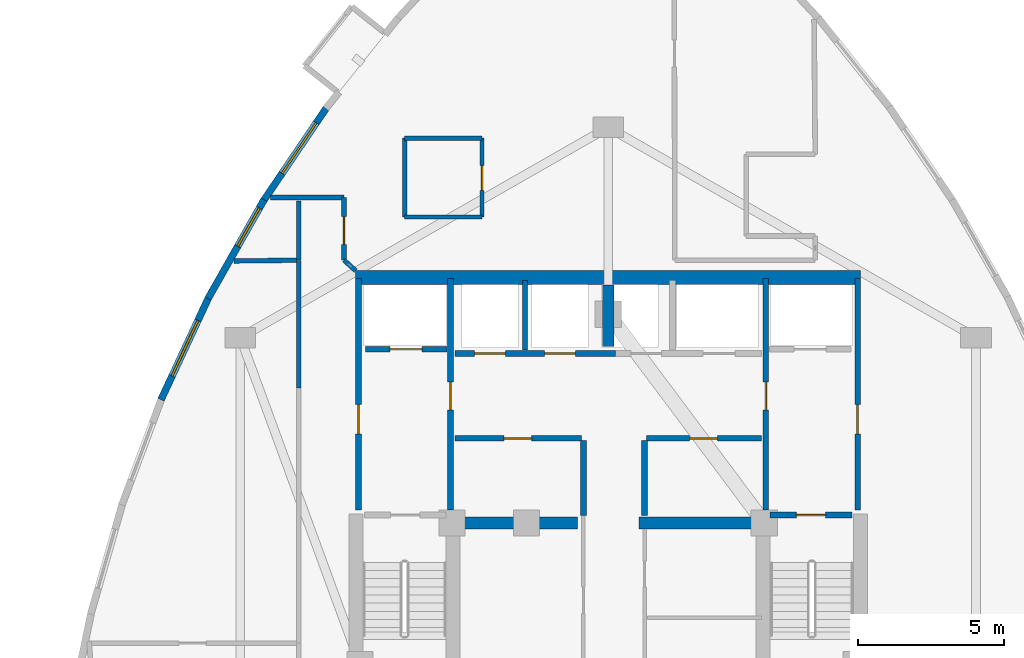
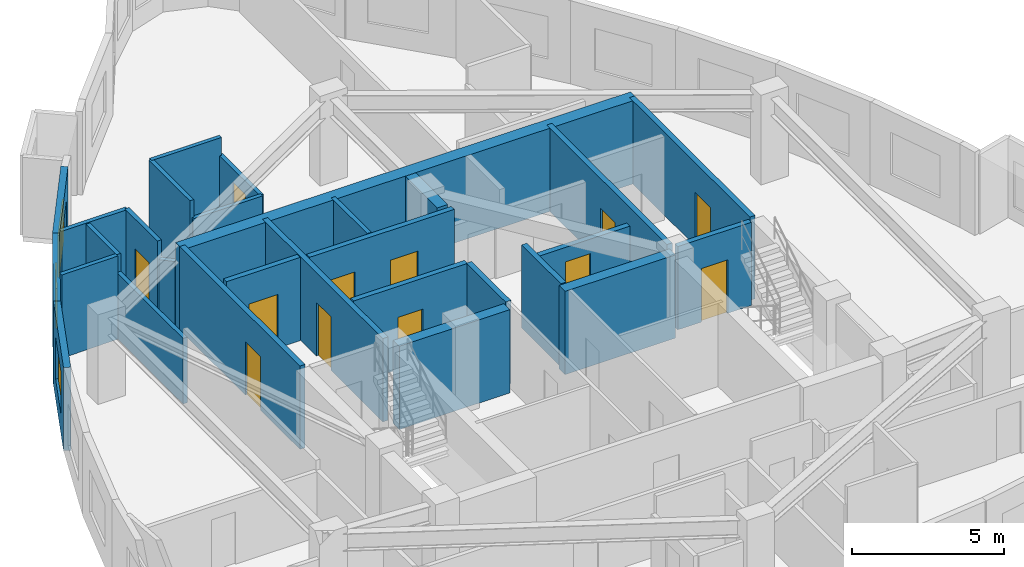
# One storey, part 9 of 12: 29 walls, 12 doors, 3 windows, 15 openings.
"""IFC4 building model written with IfcOpenShell, lengths in metres."""

from ifc_helpers import new_model, si_unit, direction, frame, frame_2d, origin, place, context, subcontext, project, spatial, rectangle, extrude, material, layer, layer_set, type_object, element, fill, save


model = new_model("IFC4")

# Units and contexts
model_context = context("Model", 3, precision=1e-05, world=origin(), true_north=direction((0.0, 1.0)))
body_context = subcontext(model_context, "Body", "Model", "MODEL_VIEW")
ifc_project = project(units=[si_unit("LENGTHUNIT", "METRE"), si_unit("AREAUNIT", "SQUARE_METRE"), si_unit("VOLUMEUNIT", "CUBIC_METRE"), si_unit("PLANEANGLEUNIT", "RADIAN"), si_unit("MASSUNIT", "GRAM", prefix="KILO")], contexts=[model_context])

# Site, building, storey
site_placement = place(None, origin())
site = spatial("IfcSite", under=ifc_project, at=site_placement, CompositionType="ELEMENT")
building_placement = place(site_placement, origin())
building = spatial("IfcBuilding", under=site, at=building_placement, Name="Miruveldt Soraemaru", CompositionType="ELEMENT")
storey_placement = place(building_placement, frame((0.0, 0.0, 219.60009765625)))
storey = spatial("IfcBuildingStorey", under=building, at=storey_placement, Name="L60", CompositionType="ELEMENT", Elevation=219.60009765625)

# Walls
ifc_material_1 = material(Name="Concrete C70/85 (70 MPa)", Category="concrete")
ifc_layer_1 = layer(ifc_material_1, 0.5, Name="Concrete C70/85 (70 MPa)", Category="concrete")
ifc_layer_set_1 = layer_set([ifc_layer_1], Name="Concrete C70/85 (70 MPa)")
wall_type_1 = type_object("IfcWallType", Name="WALL-BW-500", PredefinedType="SHEAR", material=ifc_layer_set_1)
wall_1_placement = place(storey_placement, frame((44.0, 50.10009765625, 0.0), z_axis=(0.0, 0.0, 1.0), x_axis=(0.0, 1.0, 0.0)))
element("IfcWall", 1, at=wall_1_placement, inside=storey, type_object=wall_type_1, Name="L60 Core Buttress Shear Wall BN", PredefinedType="SHEAR", context=body_context, shape_type="SweptSolid", body=[
    extrude(rectangle(XDim=2.099853515625, YDim=0.39990234375, at=frame_2d((1.0498046875, 0.0))), origin(), (0.0, 0.0, 1.0), 3.344970703125),
])
for number, where, z_axis, x_axis, name in (
    (2, (38.75, 44.050048828125, 0.0), (0.0, 0.0, 1.0), (1.0, 0.0, 0.0), "L60 Core Buttress Shear Wall BW"),
    (3, (45.050048828125, 44.050048828125, 0.0), (0.0, 0.0, 1.0), (1.0, 0.0, 0.0), "L60 Core Buttress Shear Wall BE"),
):
    element("IfcWall", number, at=place(storey_placement, frame(where, z_axis=z_axis, x_axis=x_axis)), inside=storey, type_object=wall_type_1, Name=name, PredefinedType="SHEAR", context=body_context, shape_type="SweptSolid", body=[
        extrude(rectangle(XDim=4.199951171875, YDim=0.39990234375, at=frame_2d((2.10009765625, 0.0))), origin(), (0.0, 0.0, 1.0), 3.344970703125),
    ])
ifc_material_2 = material(Name="Concrete C60/75 (60 MPa)", Category="concrete")
ifc_layer_2 = layer(ifc_material_2, 0.47998046875, Name="Concrete C60/75 (60 MPa)", Category="concrete")
ifc_layer_set_2 = layer_set([ifc_layer_2], Name="Concrete C60/75 (60 MPa)")
wall_type_2 = type_object("IfcWallType", Name="WALL-CW-480", PredefinedType="SHEAR", material=ifc_layer_set_2)
wall_2_placement = place(storey_placement, frame((35.35009765625, 52.449951171875, 0.0), z_axis=(0.0, 0.0, 1.0), x_axis=(1.0, 0.0, 0.0)))
element("IfcWall", 4, at=wall_2_placement, inside=storey, type_object=wall_type_2, Name="L60 Central Core Shear Wall N", PredefinedType="SHEAR", context=body_context, shape_type="SweptSolid", body=[
    extrude(rectangle(XDim=17.2998046875, YDim=0.47998046875, at=frame_2d((8.64990234375, 0.0))), origin(), (0.0, 0.0, 1.0), 3.344970703125),
])

# Wall, opening, window
ifc_material_3 = material(Name="Precast concrete C45/55 (45 MPa)", Category="concrete")
ifc_layer_3 = layer(ifc_material_3, 0.239990234375, Name="Precast concrete C45/55 (45 MPa)", Category="concrete")
ifc_layer_set_3 = layer_set([ifc_layer_3], Name="Precast concrete C45/55 (45 MPa)")
wall_type_3 = type_object("IfcWallType", Name="WALL-EXT-PC240", PredefinedType="SOLIDWALL", material=ifc_layer_set_3)
wall_3_placement = place(storey_placement, frame((34.3720703125, 58.307373046875, 0.0), z_axis=(0.0, 0.0, 1.0), x_axis=(-0.560812313673, -0.827942962306, 0.0)))
wall_3 = element("IfcWall", 5, at=wall_3_placement, inside=storey, type_object=wall_type_3, Name="L60 Precast Concrete Facade Wall 9", PredefinedType="SOLIDWALL", context=body_context, shape_type="SweptSolid", body=[
    extrude(rectangle(XDim=3.917236328125, YDim=0.239990234375, at=frame_2d((1.95849609375, 0.0))), origin(), (0.0, 0.0, 1.0), 3.344970703125),
])
opening_1_placement = place(wall_3_placement, frame((0.660888671875, 0.0, 0.800048828125)))
opening_1 = element("IfcOpeningElement", 6, at=opening_1_placement, cuts=wall_3, Name="Opening WN-1", PredefinedType="OPENING", context=body_context, shape_type="SweptSolid", body=[
    extrude(rectangle(XDim=2.10009765625, YDim=1.699951171875, at=frame_2d((1.050048828125, 0.85009765625))), frame((0.0, 0.1298828125, 0.0), z_axis=(0.0, -1.0, 0.0), x_axis=(1.0, 0.0, 0.0)), (0.0, 0.0, 1.0), 0.260009765625),
])
ifc_material_4 = material(Name="Triple low-e insulated glazing", Category="glass")
window_type_1 = type_object("IfcWindowType", Name="WIN-PUNCH-2100x1700", PartitioningType="SINGLE_PANEL", PredefinedType="WINDOW", material=ifc_material_4)
window_1_placement = place(opening_1_placement, origin())
window_1 = element("IfcWindow", 7, at=window_1_placement, inside=storey, type_object=window_type_1, Name="L60 Punched Triple-Glazed Window 09.1", OverallHeight=1.699951171875, OverallWidth=2.10009765625, PartitioningType="SINGLE_PANEL", PredefinedType="WINDOW", context=body_context, shape_type="SweptSolid", body=[
    extrude(rectangle(XDim=2.10009765625, YDim=1.699951171875, at=frame_2d((1.050048828125, 0.85009765625))), frame((0.0, 0.030029296875, 0.0), z_axis=(0.0, -1.0, 0.0), x_axis=(1.0, 0.0, 0.0)), (0.0, 0.0, 1.0), 0.06005859375),
])
fill(opening_1, window_1)

wall_4_placement = place(storey_placement, frame((32.212158203125, 55.123779296875, 0.0), z_axis=(0.0, 0.0, 1.0), x_axis=(-0.493340105608, -0.869836501993, 0.0)))
wall_4 = element("IfcWall", 8, at=wall_4_placement, inside=storey, type_object=wall_type_3, Name="L60 Precast Concrete Facade Wall 10", PredefinedType="SOLIDWALL", context=body_context, shape_type="SweptSolid", body=[
    extrude(rectangle(XDim=3.892578125, YDim=0.239990234375, at=frame_2d((1.9462890625, 0.0))), origin(), (0.0, 0.0, 1.0), 3.344970703125),
])
opening_2_placement = place(wall_4_placement, frame((0.33203125, 0.0, 0.800048828125)))
opening_2 = element("IfcOpeningElement", 9, at=opening_2_placement, cuts=wall_4, Name="Opening WN-3", PredefinedType="OPENING", context=body_context, shape_type="SweptSolid", body=[
    extrude(rectangle(XDim=1.5, YDim=1.60009765625, at=frame_2d((0.75, 0.800048828125))), frame((0.0, 0.1298828125, 0.0), z_axis=(0.0, -1.0, 0.0), x_axis=(1.0, 0.0, 0.0)), (0.0, 0.0, 1.0), 0.260009765625),
])
window_type_2 = type_object("IfcWindowType", Name="WIN-PUNCH-1500x1600", PartitioningType="SINGLE_PANEL", PredefinedType="WINDOW", material=ifc_material_4)
window_2_placement = place(opening_2_placement, origin())
window_2 = element("IfcWindow", 10, at=window_2_placement, inside=storey, type_object=window_type_2, Name="L60 Punched Triple-Glazed Window 10.1", OverallHeight=1.60009765625, OverallWidth=1.5, PartitioningType="SINGLE_PANEL", PredefinedType="WINDOW", context=body_context, shape_type="SweptSolid", body=[
    extrude(rectangle(XDim=1.5, YDim=1.60009765625, at=frame_2d((0.75, 0.800048828125))), frame((0.0, 0.030029296875, 0.0), z_axis=(0.0, -1.0, 0.0), x_axis=(1.0, 0.0, 0.0)), (0.0, 0.0, 1.0), 0.06005859375),
])
fill(opening_2, window_2)

wall_5_placement = place(storey_placement, frame((30.32373046875, 51.7998046875, 0.0), z_axis=(0.0, 0.0, 1.0), x_axis=(-0.422332612053, -0.906440932878, 0.0)))
wall_5 = element("IfcWall", 11, at=wall_5_placement, inside=storey, type_object=wall_type_3, Name="L60 Precast Concrete Facade Wall 11", PredefinedType="SOLIDWALL", context=body_context, shape_type="SweptSolid", body=[
    extrude(rectangle(XDim=3.892822265625, YDim=0.239990234375, at=frame_2d((1.9462890625, 0.0))), origin(), (0.0, 0.0, 1.0), 3.344970703125),
])
opening_3_placement = place(wall_5_placement, frame((0.89697265625, 0.0, 0.800048828125)))
opening_3 = element("IfcOpeningElement", 12, at=opening_3_placement, cuts=wall_5, Name="Opening WN-1", PredefinedType="OPENING", context=body_context, shape_type="SweptSolid", body=[
    extrude(rectangle(XDim=2.10009765625, YDim=1.699951171875, at=frame_2d((1.050048828125, 0.85009765625))), frame((0.0, 0.1298828125, 0.0), z_axis=(0.0, -1.0, 0.0), x_axis=(1.0, 0.0, 0.0)), (0.0, 0.0, 1.0), 0.260009765625),
])
window_3_placement = place(opening_3_placement, origin())
window_3 = element("IfcWindow", 13, at=window_3_placement, inside=storey, type_object=window_type_1, Name="L60 Punched Triple-Glazed Window 11.1", OverallHeight=1.699951171875, OverallWidth=2.10009765625, PartitioningType="SINGLE_PANEL", PredefinedType="WINDOW", context=body_context, shape_type="SweptSolid", body=[
    extrude(rectangle(XDim=2.10009765625, YDim=1.699951171875, at=frame_2d((1.050048828125, 0.85009765625))), frame((0.0, 0.030029296875, 0.0), z_axis=(0.0, -1.0, 0.0), x_axis=(1.0, 0.0, 0.0)), (0.0, 0.0, 1.0), 0.06005859375),
])
fill(opening_3, window_3)

# Wall, opening, door
ifc_material_5 = material(Name="Gypsum plasterboard lining", Category="gypsum")
ifc_layer_4 = layer(ifc_material_5, 0.14990234375, Name="Gypsum plasterboard lining", Category="gypsum")
ifc_layer_set_4 = layer_set([ifc_layer_4], Name="Gypsum plasterboard lining")
wall_type_4 = type_object("IfcWallType", Name="WALL-INT-PLUMB", PredefinedType="PLUMBINGWALL", material=ifc_layer_set_4)
wall_6_placement = place(storey_placement, frame((39.679931640625, 54.530029296875, 0.0), z_axis=(0.0, 0.0, 1.0), x_axis=(0.0, 1.0, 0.0)))
wall_6 = element("IfcWall", 14, at=wall_6_placement, inside=storey, type_object=wall_type_4, Name="L60 Partition Wall 13", PredefinedType="PLUMBINGWALL", context=body_context, shape_type="SweptSolid", body=[
    extrude(rectangle(XDim=2.699951171875, YDim=0.14990234375, at=frame_2d((1.35009765625, 0.0))), origin(), (0.0, 0.0, 1.0), 2.6328125),
])
opening_4_placement = place(wall_6_placement, frame((0.909912109375, 0.0, 0.0)))
opening_4 = element("IfcOpeningElement", 15, at=opening_4_placement, cuts=wall_6, Name="Opening FD3", PredefinedType="OPENING", context=body_context, shape_type="SweptSolid", body=[
    extrude(rectangle(XDim=0.85009765625, YDim=2.10009765625, at=frame_2d((0.425048828125, 1.050048828125))), frame((0.0, 0.0849609375, 0.0), z_axis=(0.0, -1.0, 0.0), x_axis=(1.0, 0.0, 0.0)), (0.0, 0.0, 1.0), 0.169921875),
])
ifc_material_6 = material(Name="Anodised aluminium EN AW-6063 T6", Category="aluminium")
door_type_1 = type_object("IfcDoorType", Name="DOOR-FD3-850", OperationType="NOTDEFINED", PredefinedType="DOOR", material=ifc_material_6)
door_1_placement = place(opening_4_placement, origin())
door_1 = element("IfcDoor", 16, at=door_1_placement, inside=storey, type_object=door_type_1, Name="L60 Unit 6001 BTH Door", OperationType="SINGLE_SWING_LEFT", OverallHeight=2.10009765625, OverallWidth=0.85009765625, PredefinedType="DOOR", context=body_context, shape_type="SweptSolid", body=[
    extrude(rectangle(XDim=0.85009765625, YDim=2.10009765625, at=frame_2d((0.425048828125, 1.050048828125))), frame((0.0, 0.02490234375, 0.0), z_axis=(0.0, -1.0, 0.0), x_axis=(1.0, 0.0, 0.0)), (0.0, 0.0, 1.0), 0.050048828125),
])
fill(opening_4, door_1)

# Walls
wall_7_placement = place(storey_placement, frame((37.030029296875, 57.22998046875, 0.0), z_axis=(0.0, 0.0, 1.0), x_axis=(0.0, -1.0, 0.0)))
element("IfcWall", 17, at=wall_7_placement, inside=storey, type_object=wall_type_4, Name="L60 Partition Wall 15", PredefinedType="PLUMBINGWALL", context=body_context, shape_type="SweptSolid", body=[
    extrude(rectangle(XDim=2.699951171875, YDim=0.14990234375, at=frame_2d((1.35009765625, 0.0))), origin(), (0.0, 0.0, 1.0), 3.344970703125),
])
wall_8_placement = place(storey_placement, frame((39.679931640625, 57.22998046875, 0.0), z_axis=(0.0, 0.0, 1.0), x_axis=(-1.0, 0.0, 0.0)))
element("IfcWall", 18, at=wall_8_placement, inside=storey, type_object=wall_type_4, Name="L60 Partition Wall 14", PredefinedType="PLUMBINGWALL", context=body_context, shape_type="SweptSolid", body=[
    extrude(rectangle(XDim=2.64990234375, YDim=0.14990234375, at=frame_2d((1.324951171875, 0.0))), origin(), (0.0, 0.0, 1.0), 3.344970703125),
])
wall_9_placement = place(storey_placement, frame((37.030029296875, 54.530029296875, 0.0), z_axis=(0.0, 0.0, 1.0), x_axis=(1.0, 0.0, 0.0)))
element("IfcWall", 19, at=wall_9_placement, inside=storey, type_object=wall_type_4, Name="L60 Partition Wall 16", PredefinedType="PLUMBINGWALL", context=body_context, shape_type="SweptSolid", body=[
    extrude(rectangle(XDim=2.64990234375, YDim=0.14990234375, at=frame_2d((1.324951171875, 0.0))), origin(), (0.0, 0.0, 1.0), 2.6328125),
])

# Wall, opening, door
ifc_material_7 = material(Name="Concrete C40/50 (40 MPa)", Category="concrete")
ifc_layer_5 = layer(ifc_material_7, 0.159912109375, Name="Concrete C40/50 (40 MPa)", Category="concrete")
ifc_layer_set_5 = layer_set([ifc_layer_5], Name="Concrete C40/50 (40 MPa)")
wall_type_5 = type_object("IfcWallType", Name="WALL-INT-RC160", PredefinedType="SOLIDWALL", material=ifc_layer_set_5)
wall_10_placement = place(storey_placement, frame((34.949951171875, 53.055908203125, 0.0), z_axis=(0.0, 0.0, 1.0), x_axis=(0.0, 1.0, 0.0)))
wall_10 = element("IfcWall", 20, at=wall_10_placement, inside=storey, type_object=wall_type_5, Name="L60 Partition Wall 1", PredefinedType="SOLIDWALL", context=body_context, shape_type="SweptSolid", body=[
    extrude(rectangle(XDim=2.14404296875, YDim=0.159912109375, at=frame_2d((1.072021484375, 0.0))), origin(), (0.0, 0.0, 1.0), 3.344970703125),
])
opening_5_placement = place(wall_10_placement, frame((0.534912109375, 0.0, 0.0)))
opening_5 = element("IfcOpeningElement", 21, at=opening_5_placement, cuts=wall_10, Name="Opening FD2", PredefinedType="OPENING", context=body_context, shape_type="SweptSolid", body=[
    extrude(rectangle(XDim=0.949951171875, YDim=2.14990234375, at=frame_2d((0.47509765625, 1.074951171875))), frame((0.0, 0.08984375, 0.0), z_axis=(0.0, -1.0, 0.0), x_axis=(1.0, 0.0, 0.0)), (0.0, 0.0, 1.0), 0.179931640625),
])
door_type_2 = type_object("IfcDoorType", Name="DOOR-FD2-950", OperationType="NOTDEFINED", PredefinedType="DOOR", material=ifc_material_6)
door_2_placement = place(opening_5_placement, origin())
door_2 = element("IfcDoor", 22, at=door_2_placement, inside=storey, type_object=door_type_2, Name="L60 Unit 6001 Entrance Fire Door", OperationType="SINGLE_SWING_RIGHT", OverallHeight=2.14990234375, OverallWidth=0.949951171875, PredefinedType="DOOR", context=body_context, shape_type="SweptSolid", body=[
    extrude(rectangle(XDim=0.949951171875, YDim=2.14990234375, at=frame_2d((0.47509765625, 1.074951171875))), frame((0.0, 0.02490234375, 0.0), z_axis=(0.0, -1.0, 0.0), x_axis=(1.0, 0.0, 0.0)), (0.0, 0.0, 1.0), 0.050048828125),
])
fill(opening_5, door_2)

# Walls
wall_11_placement = place(storey_placement, frame((33.39990234375, 53.047119140625, 0.0), z_axis=(0.0, 0.0, 1.0), x_axis=(0.0, -1.0, 0.0)))
element("IfcWall", 23, at=wall_11_placement, inside=storey, type_object=wall_type_5, Name="L60 Partition Wall 4", PredefinedType="SOLIDWALL", context=body_context, shape_type="SweptSolid", body=[
    extrude(rectangle(XDim=4.369140625, YDim=0.159912109375, at=frame_2d((2.1845703125, 0.0))), origin(), (0.0, 0.0, 1.0), 2.6328125),
])
wall_12_placement = place(storey_placement, frame((34.949951171875, 55.199951171875, 0.0), z_axis=(0.0, 0.0, 1.0), x_axis=(-1.0, 0.0, 0.0)))
element("IfcWall", 24, at=wall_12_placement, inside=storey, type_object=wall_type_5, Name="L60 Partition Wall 2", PredefinedType="SOLIDWALL", context=body_context, shape_type="SweptSolid", body=[
    extrude(rectangle(XDim=2.52001953125, YDim=0.159912109375, at=frame_2d((1.260009765625, 0.0))), origin(), (0.0, 0.0, 1.0), 3.344970703125),
])
wall_13_placement = place(storey_placement, frame((41.14990234375, 49.97998046875, 0.0), z_axis=(0.0, 0.0, 1.0), x_axis=(0.0, 1.0, 0.0)))
element("IfcWall", 25, at=wall_13_placement, inside=storey, type_object=wall_type_5, Name="L60 Core Compartment Wall PLH-DIV1", PredefinedType="SOLIDWALL", context=body_context, shape_type="SweptSolid", body=[
    extrude(rectangle(XDim=2.3701171875, YDim=0.159912109375, at=frame_2d((1.18505859375, 0.0))), origin(), (0.0, 0.0, 1.0), 3.344970703125),
])
wall_14_placement = place(storey_placement, frame((31.177001953125, 53.02392578125, 0.0), z_axis=(0.0, 0.0, 1.0), x_axis=(0.999930960818, 0.011750472215, 0.0)))
element("IfcWall", 26, at=wall_14_placement, inside=storey, type_object=wall_type_5, Name="L60 Partition Wall 18", PredefinedType="SOLIDWALL", context=body_context, shape_type="SweptSolid", body=[
    extrude(rectangle(XDim=2.14013671875, YDim=0.159912109375, at=frame_2d((1.070068359375, 0.0))), origin(), (0.0, 0.0, 1.0), 3.344970703125),
])
wall_15_placement = place(storey_placement, frame((33.39990234375, 55.075927734375, 0.0), z_axis=(0.0, 0.0, 1.0), x_axis=(0.0, -1.0, 0.0)))
element("IfcWall", 27, at=wall_15_placement, inside=storey, type_object=wall_type_5, Name="L60 Partition Wall 3", PredefinedType="SOLIDWALL", context=body_context, shape_type="SweptSolid", body=[
    extrude(rectangle(XDim=2.02001953125, YDim=0.159912109375, at=frame_2d((1.010009765625, 0.0))), origin(), (0.0, 0.0, 1.0), 3.344970703125),
])
wall_16_placement = place(storey_placement, frame((34.949951171875, 53.055908203125, 0.0), z_axis=(0.0, 0.0, 1.0), x_axis=(0.737919899423, -0.674888303377, 0.0)))
element("IfcWall", 28, at=wall_16_placement, inside=storey, type_object=wall_type_5, Name="L60 Partition Closure Return 1", PredefinedType="SOLIDWALL", context=body_context, shape_type="SweptSolid", body=[
    extrude(rectangle(XDim=0.542236328125, YDim=0.159912109375, at=frame_2d((0.27099609375, 0.0))), origin(), (0.0, 0.0, 1.0), 2.6328125),
])

# Wall, opening, door
ifc_layer_6 = layer(ifc_material_7, 0.199951171875, Name="Concrete C40/50 (40 MPa)", Category="concrete")
ifc_layer_set_6 = layer_set([ifc_layer_6], Name="Concrete C40/50 (40 MPa)")
wall_type_6 = type_object("IfcWallType", Name="WALL-INT-RC200", PredefinedType="SOLIDWALL", material=ifc_layer_set_6)
wall_17_placement = place(storey_placement, frame((35.449951171875, 44.5, 0.0), z_axis=(0.0, 0.0, 1.0), x_axis=(0.0, 1.0, 0.0)))
wall_17 = element("IfcWall", 29, at=wall_17_placement, inside=storey, type_object=wall_type_6, Name="L60 Core Compartment Wall FFW-OUT", PredefinedType="SOLIDWALL", context=body_context, shape_type="SweptSolid", body=[
    extrude(rectangle(XDim=7.919921875, YDim=0.199951171875, at=frame_2d((3.9599609375, 0.0))), origin(), (0.0, 0.0, 1.0), 3.344970703125),
])
opening_6_placement = place(wall_17_placement, frame((2.60009765625, 0.0, 0.0)))
opening_6 = element("IfcOpeningElement", 30, at=opening_6_placement, cuts=wall_17, Name="Opening FD1", PredefinedType="OPENING", context=body_context, shape_type="SweptSolid", body=[
    extrude(rectangle(XDim=1.0, YDim=2.14990234375, at=frame_2d((0.5, 1.074951171875))), frame((0.0, 0.10986328125, 0.0), z_axis=(0.0, -1.0, 0.0), x_axis=(1.0, 0.0, 0.0)), (0.0, 0.0, 1.0), 0.219970703125),
])
door_type_3 = type_object("IfcDoorType", Name="DOOR-FD1-1000", OperationType="NOTDEFINED", PredefinedType="DOOR", material=ifc_material_6)
door_3_placement = place(opening_6_placement, origin())
door_3 = element("IfcDoor", 31, at=door_3_placement, inside=storey, type_object=door_type_3, Name="L60 West Firefighting Lobby Exit Door", OperationType="SINGLE_SWING_LEFT", OverallHeight=2.14990234375, OverallWidth=1.0, PredefinedType="DOOR", context=body_context, shape_type="SweptSolid", body=[
    extrude(rectangle(XDim=1.0, YDim=2.14990234375, at=frame_2d((0.5, 1.074951171875))), frame((0.0, 0.02490234375, 0.0), z_axis=(0.0, -1.0, 0.0), x_axis=(1.0, 0.0, 0.0)), (0.0, 0.0, 1.0), 0.050048828125),
])
fill(opening_6, door_3)

wall_18_placement = place(storey_placement, frame((52.550048828125, 44.5, 0.0), z_axis=(0.0, 0.0, 1.0), x_axis=(0.0, 1.0, 0.0)))
wall_18 = element("IfcWall", 32, at=wall_18_placement, inside=storey, type_object=wall_type_6, Name="L60 Core Compartment Wall FFE-OUT", PredefinedType="SOLIDWALL", context=body_context, shape_type="SweptSolid", body=[
    extrude(rectangle(XDim=7.919921875, YDim=0.199951171875, at=frame_2d((3.9599609375, 0.0))), origin(), (0.0, 0.0, 1.0), 3.344970703125),
])
opening_7_placement = place(wall_18_placement, frame((2.60009765625, 0.0, 0.0)))
opening_7 = element("IfcOpeningElement", 33, at=opening_7_placement, cuts=wall_18, Name="Opening FD1", PredefinedType="OPENING", context=body_context, shape_type="SweptSolid", body=[
    extrude(rectangle(XDim=1.0, YDim=2.14990234375, at=frame_2d((0.5, 1.074951171875))), frame((0.0, 0.10986328125, 0.0), z_axis=(0.0, -1.0, 0.0), x_axis=(1.0, 0.0, 0.0)), (0.0, 0.0, 1.0), 0.219970703125),
])
door_4_placement = place(opening_7_placement, frame((1.0, 0.0, 0.0), z_axis=(0.0, 0.0, 1.0), x_axis=(-1.0, 0.0, 0.0)))
door_4 = element("IfcDoor", 34, at=door_4_placement, inside=storey, type_object=door_type_3, Name="L60 East Firefighting Lobby Exit Door", OperationType="SINGLE_SWING_RIGHT", OverallHeight=2.14990234375, OverallWidth=1.0, PredefinedType="DOOR", context=body_context, shape_type="SweptSolid", body=[
    extrude(rectangle(XDim=1.0, YDim=2.14990234375, at=frame_2d((0.5, 1.074951171875))), frame((0.0, 0.02490234375, 0.0), z_axis=(0.0, -1.0, 0.0), x_axis=(1.0, 0.0, 0.0)), (0.0, 0.0, 1.0), 0.050048828125),
])
fill(opening_7, door_4)

wall_19_placement = place(storey_placement, frame((38.60009765625, 44.5, 0.0), z_axis=(0.0, 0.0, 1.0), x_axis=(0.0, 1.0, 0.0)))
wall_19 = element("IfcWall", 35, at=wall_19_placement, inside=storey, type_object=wall_type_6, Name="L60 Core Compartment Wall FFW-IN", PredefinedType="SOLIDWALL", context=body_context, shape_type="SweptSolid", body=[
    extrude(rectangle(XDim=7.919921875, YDim=0.199951171875, at=frame_2d((3.9599609375, 0.0))), origin(), (0.0, 0.0, 1.0), 3.344970703125),
])
opening_8_placement = place(wall_19_placement, frame((3.425048828125, 0.0, 0.0)))
opening_8 = element("IfcOpeningElement", 36, at=opening_8_placement, cuts=wall_19, Name="Opening FD2", PredefinedType="OPENING", context=body_context, shape_type="SweptSolid", body=[
    extrude(rectangle(XDim=0.949951171875, YDim=2.14990234375, at=frame_2d((0.47509765625, 1.074951171875))), frame((0.0, 0.10986328125, 0.0), z_axis=(0.0, -1.0, 0.0), x_axis=(1.0, 0.0, 0.0)), (0.0, 0.0, 1.0), 0.219970703125),
])
door_5_placement = place(opening_8_placement, frame((0.949951171875, 0.0, 0.0), z_axis=(0.0, 0.0, 1.0), x_axis=(-1.0, 0.0, 0.0)))
door_5 = element("IfcDoor", 37, at=door_5_placement, inside=storey, type_object=door_type_2, Name="L60 Lift Lobby to West Fire Lobby Door", OperationType="SINGLE_SWING_RIGHT", OverallHeight=2.14990234375, OverallWidth=0.949951171875, PredefinedType="DOOR", context=body_context, shape_type="SweptSolid", body=[
    extrude(rectangle(XDim=0.949951171875, YDim=2.14990234375, at=frame_2d((0.47509765625, 1.074951171875))), frame((0.0, 0.02490234375, 0.0), z_axis=(0.0, -1.0, 0.0), x_axis=(1.0, 0.0, 0.0)), (0.0, 0.0, 1.0), 0.050048828125),
])
fill(opening_8, door_5)

wall_20_placement = place(storey_placement, frame((49.39990234375, 44.5, 0.0), z_axis=(0.0, 0.0, 1.0), x_axis=(0.0, 1.0, 0.0)))
wall_20 = element("IfcWall", 38, at=wall_20_placement, inside=storey, type_object=wall_type_6, Name="L60 Core Compartment Wall FFE-IN", PredefinedType="SOLIDWALL", context=body_context, shape_type="SweptSolid", body=[
    extrude(rectangle(XDim=7.919921875, YDim=0.199951171875, at=frame_2d((3.9599609375, 0.0))), origin(), (0.0, 0.0, 1.0), 3.344970703125),
])
opening_9_placement = place(wall_20_placement, frame((3.425048828125, 0.0, 0.0)))
opening_9 = element("IfcOpeningElement", 39, at=opening_9_placement, cuts=wall_20, Name="Opening FD2", PredefinedType="OPENING", context=body_context, shape_type="SweptSolid", body=[
    extrude(rectangle(XDim=0.949951171875, YDim=2.14990234375, at=frame_2d((0.47509765625, 1.074951171875))), frame((0.0, 0.10986328125, 0.0), z_axis=(0.0, -1.0, 0.0), x_axis=(1.0, 0.0, 0.0)), (0.0, 0.0, 1.0), 0.219970703125),
])
door_6_placement = place(opening_9_placement, origin())
door_6 = element("IfcDoor", 40, at=door_6_placement, inside=storey, type_object=door_type_2, Name="L60 Lift Lobby to East Fire Lobby Door", OperationType="SINGLE_SWING_LEFT", OverallHeight=2.14990234375, OverallWidth=0.949951171875, PredefinedType="DOOR", context=body_context, shape_type="SweptSolid", body=[
    extrude(rectangle(XDim=0.949951171875, YDim=2.14990234375, at=frame_2d((0.47509765625, 1.074951171875))), frame((0.0, 0.02490234375, 0.0), z_axis=(0.0, -1.0, 0.0), x_axis=(1.0, 0.0, 0.0)), (0.0, 0.0, 1.0), 0.050048828125),
])
fill(opening_9, door_6)

# Wall, openings, doors
wall_21_placement = place(storey_placement, frame((38.75, 49.85009765625, 0.0), z_axis=(0.0, 0.0, 1.0), x_axis=(1.0, 0.0, 0.0)))
wall_21 = element("IfcWall", 41, at=wall_21_placement, inside=storey, type_object=wall_type_6, Name="L60 Core Compartment Wall ROWA-SW", PredefinedType="SOLIDWALL", context=body_context, shape_type="SweptSolid", body=[
    extrude(rectangle(XDim=5.5, YDim=0.199951171875, at=frame_2d((2.75, 0.0))), origin(), (0.0, 0.0, 1.0), 3.344970703125),
])
opening_10_placement = place(wall_21_placement, frame((0.675048828125, 0.0, 0.0)))
opening_10 = element("IfcOpeningElement", 42, at=opening_10_placement, cuts=wall_21, Name="Opening LD1", PredefinedType="OPENING", context=body_context, shape_type="SweptSolid", body=[
    extrude(rectangle(XDim=1.050048828125, YDim=2.14990234375, at=frame_2d((0.52490234375, 1.074951171875))), frame((0.0, 0.10986328125, 0.0), z_axis=(0.0, -1.0, 0.0), x_axis=(1.0, 0.0, 0.0)), (0.0, 0.0, 1.0), 0.219970703125),
])
opening_11_placement = place(wall_21_placement, frame((3.074951171875, 0.0, 0.0)))
opening_11 = element("IfcOpeningElement", 43, at=opening_11_placement, cuts=wall_21, Name="Opening LD1", PredefinedType="OPENING", context=body_context, shape_type="SweptSolid", body=[
    extrude(rectangle(XDim=1.050048828125, YDim=2.14990234375, at=frame_2d((0.52490234375, 1.074951171875))), frame((0.0, 0.10986328125, 0.0), z_axis=(0.0, -1.0, 0.0), x_axis=(1.0, 0.0, 0.0)), (0.0, 0.0, 1.0), 0.219970703125),
])
door_type_4 = type_object("IfcDoorType", Name="DOOR-LD1-1050", OperationType="SLIDING_TO_LEFT", PredefinedType="DOOR", material=ifc_material_6)
door_7_placement = place(opening_10_placement, origin())
door_7 = element("IfcDoor", 44, at=door_7_placement, inside=storey, type_object=door_type_4, Name="L60 PL-H1 Landing Door", OperationType="SLIDING_TO_LEFT", OverallHeight=2.14990234375, OverallWidth=1.050048828125, PredefinedType="DOOR", context=body_context, shape_type="SweptSolid", body=[
    extrude(rectangle(XDim=1.050048828125, YDim=2.14990234375, at=frame_2d((0.52490234375, 1.074951171875))), frame((0.0, 0.02490234375, 0.0), z_axis=(0.0, -1.0, 0.0), x_axis=(1.0, 0.0, 0.0)), (0.0, 0.0, 1.0), 0.050048828125),
])
fill(opening_10, door_7)
door_8_placement = place(opening_11_placement, origin())
door_8 = element("IfcDoor", 45, at=door_8_placement, inside=storey, type_object=door_type_4, Name="L60 PL-H2 Landing Door", OperationType="SLIDING_TO_LEFT", OverallHeight=2.14990234375, OverallWidth=1.050048828125, PredefinedType="DOOR", context=body_context, shape_type="SweptSolid", body=[
    extrude(rectangle(XDim=1.050048828125, YDim=2.14990234375, at=frame_2d((0.52490234375, 1.074951171875))), frame((0.0, 0.02490234375, 0.0), z_axis=(0.0, -1.0, 0.0), x_axis=(1.0, 0.0, 0.0)), (0.0, 0.0, 1.0), 0.050048828125),
])
fill(opening_11, door_8)

# Wall, opening, door
wall_22_placement = place(storey_placement, frame((38.75, 46.949951171875, 0.0), z_axis=(0.0, 0.0, 1.0), x_axis=(1.0, 0.0, 0.0)))
wall_22 = element("IfcWall", 46, at=wall_22_placement, inside=storey, type_object=wall_type_6, Name="L60 Core Compartment Wall MBW-N", PredefinedType="SOLIDWALL", context=body_context, shape_type="SweptSolid", body=[
    extrude(rectangle(XDim=4.330078125, YDim=0.199951171875, at=frame_2d((2.1650390625, 0.0))), origin(), (0.0, 0.0, 1.0), 3.344970703125),
])
opening_12_placement = place(wall_22_placement, frame((1.675048828125, 0.0, 0.0)))
opening_12 = element("IfcOpeningElement", 47, at=opening_12_placement, cuts=wall_22, Name="Opening D2", PredefinedType="OPENING", context=body_context, shape_type="SweptSolid", body=[
    extrude(rectangle(XDim=0.949951171875, YDim=2.10009765625, at=frame_2d((0.47509765625, 1.050048828125))), frame((0.0, 0.10986328125, 0.0), z_axis=(0.0, -1.0, 0.0), x_axis=(1.0, 0.0, 0.0)), (0.0, 0.0, 1.0), 0.219970703125),
])
door_type_5 = type_object("IfcDoorType", Name="DOOR-INT-950", OperationType="NOTDEFINED", PredefinedType="DOOR", material=ifc_material_6)
door_9_placement = place(opening_12_placement, origin())
door_9 = element("IfcDoor", 48, at=door_9_placement, inside=storey, type_object=door_type_5, Name="L60 Fire Door", OperationType="SINGLE_SWING_LEFT", OverallHeight=2.10009765625, OverallWidth=0.949951171875, PredefinedType="DOOR", context=body_context, shape_type="SweptSolid", body=[
    extrude(rectangle(XDim=0.949951171875, YDim=2.10009765625, at=frame_2d((0.47509765625, 1.050048828125))), frame((0.0, 0.02490234375, 0.0), z_axis=(0.0, -1.0, 0.0), x_axis=(1.0, 0.0, 0.0)), (0.0, 0.0, 1.0), 0.050048828125),
])
fill(opening_12, door_9)

wall_23_placement = place(storey_placement, frame((45.320068359375, 46.949951171875, 0.0), z_axis=(0.0, 0.0, 1.0), x_axis=(1.0, 0.0, 0.0)))
wall_23 = element("IfcWall", 49, at=wall_23_placement, inside=storey, type_object=wall_type_6, Name="L60 Core Compartment Wall MBE-N", PredefinedType="SOLIDWALL", context=body_context, shape_type="SweptSolid", body=[
    extrude(rectangle(XDim=3.929931640625, YDim=0.199951171875, at=frame_2d((1.96484375, 0.0))), origin(), (0.0, 0.0, 1.0), 2.682861328125),
])
opening_13_placement = place(wall_23_placement, frame((1.47509765625, 0.0, 0.0)))
opening_13 = element("IfcOpeningElement", 50, at=opening_13_placement, cuts=wall_23, Name="Opening D2", PredefinedType="OPENING", context=body_context, shape_type="SweptSolid", body=[
    extrude(rectangle(XDim=0.949951171875, YDim=2.10009765625, at=frame_2d((0.47509765625, 1.050048828125))), frame((0.0, 0.10986328125, 0.0), z_axis=(0.0, -1.0, 0.0), x_axis=(1.0, 0.0, 0.0)), (0.0, 0.0, 1.0), 0.219970703125),
])
door_10_placement = place(opening_13_placement, origin())
door_10 = element("IfcDoor", 51, at=door_10_placement, inside=storey, type_object=door_type_5, Name="L60 Fire Door", OperationType="SINGLE_SWING_LEFT", OverallHeight=2.10009765625, OverallWidth=0.949951171875, PredefinedType="DOOR", context=body_context, shape_type="SweptSolid", body=[
    extrude(rectangle(XDim=0.949951171875, YDim=2.10009765625, at=frame_2d((0.47509765625, 1.050048828125))), frame((0.0, 0.02490234375, 0.0), z_axis=(0.0, -1.0, 0.0), x_axis=(1.0, 0.0, 0.0)), (0.0, 0.0, 1.0), 0.050048828125),
])
fill(opening_13, door_10)

wall_24_placement = place(storey_placement, frame((49.550048828125, 44.320068359375, 0.0), z_axis=(0.0, 0.0, 1.0), x_axis=(1.0, 0.0, 0.0)))
wall_24 = element("IfcWall", 52, at=wall_24_placement, inside=storey, type_object=wall_type_6, Name="L60 Core Compartment Wall ST2-N", PredefinedType="SOLIDWALL", context=body_context, shape_type="SweptSolid", body=[
    extrude(rectangle(XDim=2.800048828125, YDim=0.199951171875, at=frame_2d((1.39990234375, 0.0))), origin(), (0.0, 0.0, 1.0), 3.344970703125),
])
opening_14_placement = place(wall_24_placement, frame((0.89990234375, 0.0, 0.0)))
opening_14 = element("IfcOpeningElement", 53, at=opening_14_placement, cuts=wall_24, Name="Opening FD1", PredefinedType="OPENING", context=body_context, shape_type="SweptSolid", body=[
    extrude(rectangle(XDim=1.0, YDim=2.14990234375, at=frame_2d((0.5, 1.074951171875))), frame((0.0, 0.10986328125, 0.0), z_axis=(0.0, -1.0, 0.0), x_axis=(1.0, 0.0, 0.0)), (0.0, 0.0, 1.0), 0.219970703125),
])
door_11_placement = place(opening_14_placement, frame((1.0, 0.0, 0.0), z_axis=(0.0, 0.0, 1.0), x_axis=(-1.0, 0.0, 0.0)))
door_11 = element("IfcDoor", 54, at=door_11_placement, inside=storey, type_object=door_type_3, Name="L60 Stair ST-2 Fire Door", OperationType="SINGLE_SWING_RIGHT", OverallHeight=2.14990234375, OverallWidth=1.0, PredefinedType="DOOR", context=body_context, shape_type="SweptSolid", body=[
    extrude(rectangle(XDim=1.0, YDim=2.14990234375, at=frame_2d((0.5, 1.074951171875))), frame((0.0, 0.02490234375, 0.0), z_axis=(0.0, -1.0, 0.0), x_axis=(1.0, 0.0, 0.0)), (0.0, 0.0, 1.0), 0.050048828125),
])
fill(opening_14, door_11)

wall_25_placement = place(storey_placement, frame((35.679931640625, 50.0, 0.0), z_axis=(0.0, 0.0, 1.0), x_axis=(1.0, 0.0, 0.0)))
wall_25 = element("IfcWall", 55, at=wall_25_placement, inside=storey, type_object=wall_type_6, Name="L60 Core Compartment Wall FFL1-S", PredefinedType="SOLIDWALL", context=body_context, shape_type="SweptSolid", body=[
    extrude(rectangle(XDim=2.800048828125, YDim=0.199951171875, at=frame_2d((1.39990234375, 0.0))), origin(), (0.0, 0.0, 1.0), 3.344970703125),
])
opening_15_placement = place(wall_25_placement, frame((0.85009765625, 0.0, 0.0)))
opening_15 = element("IfcOpeningElement", 56, at=opening_15_placement, cuts=wall_25, Name="Opening LD2", PredefinedType="OPENING", context=body_context, shape_type="SweptSolid", body=[
    extrude(rectangle(XDim=1.10009765625, YDim=2.14990234375, at=frame_2d((0.550048828125, 1.074951171875))), frame((0.0, 0.10986328125, 0.0), z_axis=(0.0, -1.0, 0.0), x_axis=(1.0, 0.0, 0.0)), (0.0, 0.0, 1.0), 0.219970703125),
])
door_type_6 = type_object("IfcDoorType", Name="DOOR-LD2-1100", OperationType="SLIDING_TO_LEFT", PredefinedType="DOOR", material=ifc_material_6)
door_12_placement = place(opening_15_placement, origin())
door_12 = element("IfcDoor", 57, at=door_12_placement, inside=storey, type_object=door_type_6, Name="L60 FFL-1 Landing Door", OperationType="SLIDING_TO_LEFT", OverallHeight=2.14990234375, OverallWidth=1.10009765625, PredefinedType="DOOR", context=body_context, shape_type="SweptSolid", body=[
    extrude(rectangle(XDim=1.10009765625, YDim=2.14990234375, at=frame_2d((0.550048828125, 1.074951171875))), frame((0.0, 0.02490234375, 0.0), z_axis=(0.0, -1.0, 0.0), x_axis=(1.0, 0.0, 0.0)), (0.0, 0.0, 1.0), 0.050048828125),
])
fill(opening_15, door_12)

# Walls
for number, where, z_axis, x_axis, name in (
    (58, (43.14990234375, 44.300048828125, 0.0), (0.0, 0.0, 1.0), (0.0, 1.0, 0.0), "L60 Core Compartment Wall SP-WB"),
    (59, (45.25, 44.300048828125, 0.0), (0.0, 0.0, 1.0), (0.0, 1.0, 0.0), "L60 Core Compartment Wall SP-EB"),
):
    element("IfcWall", number, at=place(storey_placement, frame(where, z_axis=z_axis, x_axis=x_axis)), inside=storey, type_object=wall_type_6, Name=name, PredefinedType="SOLIDWALL", context=body_context, shape_type="SweptSolid", body=[
        extrude(rectangle(XDim=2.579833984375, YDim=0.199951171875, at=frame_2d((1.2900390625, 0.0))), origin(), (0.0, 0.0, 1.0), 3.344970703125),
    ])

save(model, "model.ifc")
